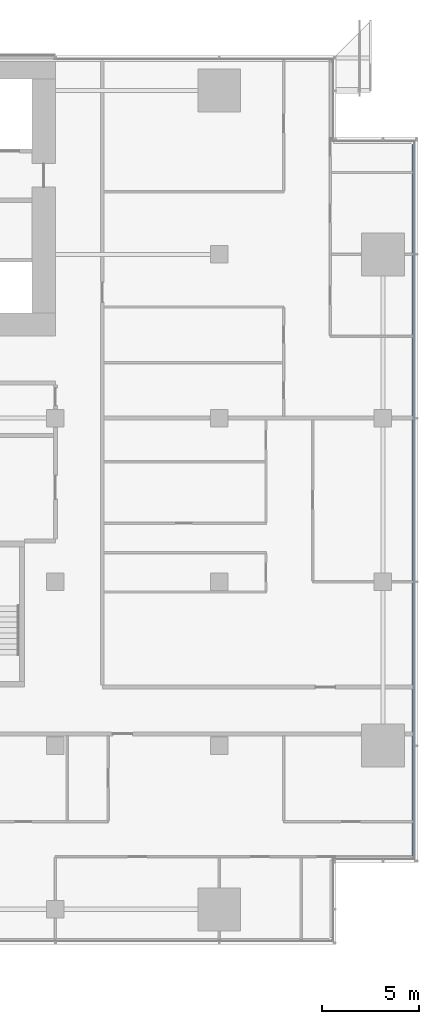
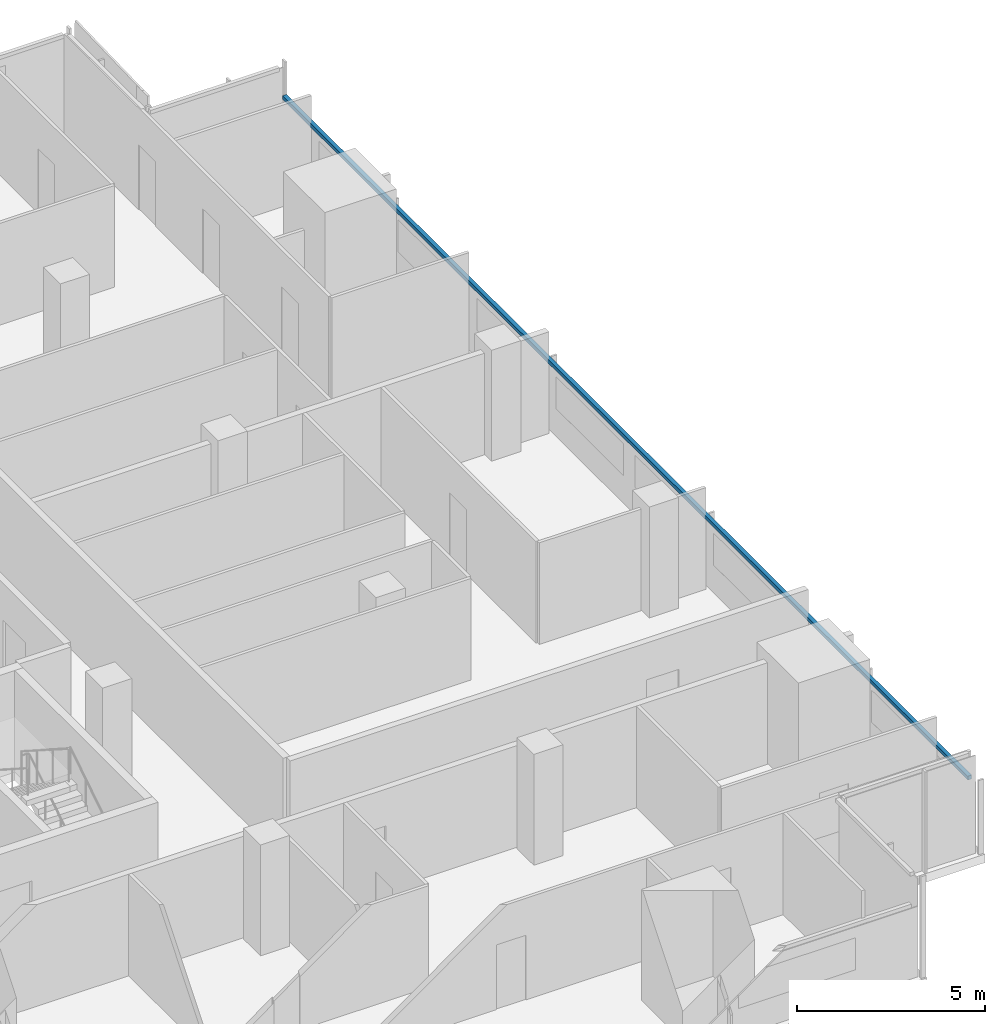
# One storey, part 13 of 25: 1 member, 1 element without a shape of its own.
"""IFC4 building model written with IfcOpenShell, lengths in metres."""

from ifc_helpers import new_model, si_unit, direction, frame, origin, origin_2d, place, context, subcontext, project, spatial, rectangle, extrude, material, material_profile, profile_set, type_object, element, aggregate, save


model = new_model("IFC4")

# Units and contexts
model_context = context("Model", 3, precision=1e-05, world=origin(), true_north=direction((0.0, 1.0)))
body_context = subcontext(model_context, "Body", "Model", "MODEL_VIEW")
ifc_project = project(units=[si_unit("LENGTHUNIT", "METRE"), si_unit("AREAUNIT", "SQUARE_METRE"), si_unit("VOLUMEUNIT", "CUBIC_METRE"), si_unit("PLANEANGLEUNIT", "RADIAN"), si_unit("MASSUNIT", "GRAM", prefix="KILO")], contexts=[model_context])

# Site, building, storey
site_placement = place(None, origin())
site = spatial("IfcSite", under=ifc_project, at=site_placement, CompositionType="ELEMENT")
building_placement = place(site_placement, origin())
building = spatial("IfcBuilding", under=site, at=building_placement, Name="Saffron Gate Tower", CompositionType="ELEMENT")
storey_placement = place(building_placement, frame((0.0, 0.0, 80.39990234375)))
storey = spatial("IfcBuildingStorey", under=building, at=storey_placement, Name="L19", CompositionType="ELEMENT", Elevation=80.39990234375)

# Curtain wall, member
ifc_material = material(Name="Aluminium, bronze anodised", Category="aluminium")
curtain_wall_type = type_object("IfcCurtainWallType", Name="CWS2 curtain wall side facades", PredefinedType="NOTDEFINED", material=ifc_material)
curtain_wall_placement = place(storey_placement, origin())
curtain_wall = element("IfcCurtainWall", 1, at=curtain_wall_placement, inside=storey, type_object=curtain_wall_type, Name="CWS2 run 4", PredefinedType="NOTDEFINED")
ifc_material_profile = material_profile(ifc_material, rectangle(XDim=0.1201171875, YDim=0.1201171875, at=origin_2d()))
ifc_profile_set = profile_set([ifc_material_profile], Name="Aluminium, bronze anodised")
member_type = type_object("IfcMemberType", Name="CWS2 head transom", PredefinedType="USERDEFINED", material=ifc_profile_set)
member_placement = place(storey_placement, frame((126.951904296875, 34.568115234375, 2.35009765625), z_axis=(0.0, 1.0, 0.0), x_axis=(-1.0, 0.0, 0.0)))
member = element("IfcMember", 2, at=member_placement, type_object=member_type, Name="CWS2 head transom", ObjectType="TRANSOM", PredefinedType="USERDEFINED", context=body_context, shape_type="SweptSolid", body=[
    extrude(rectangle(XDim=0.1201171875, YDim=0.1201171875, at=origin_2d()), origin(), (0.0, 0.0, 1.0), 36.4638671875),
])
aggregate(curtain_wall, [member])

save(model, "model.ifc")
